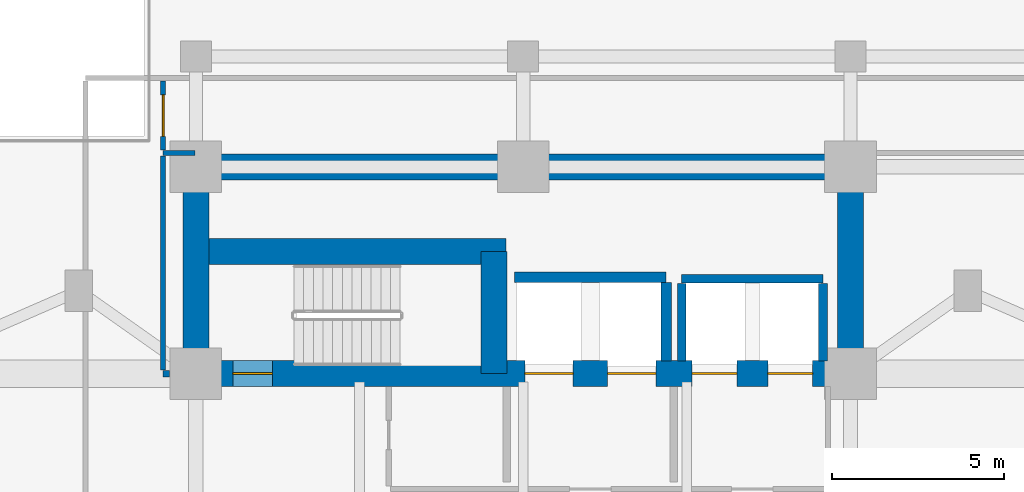
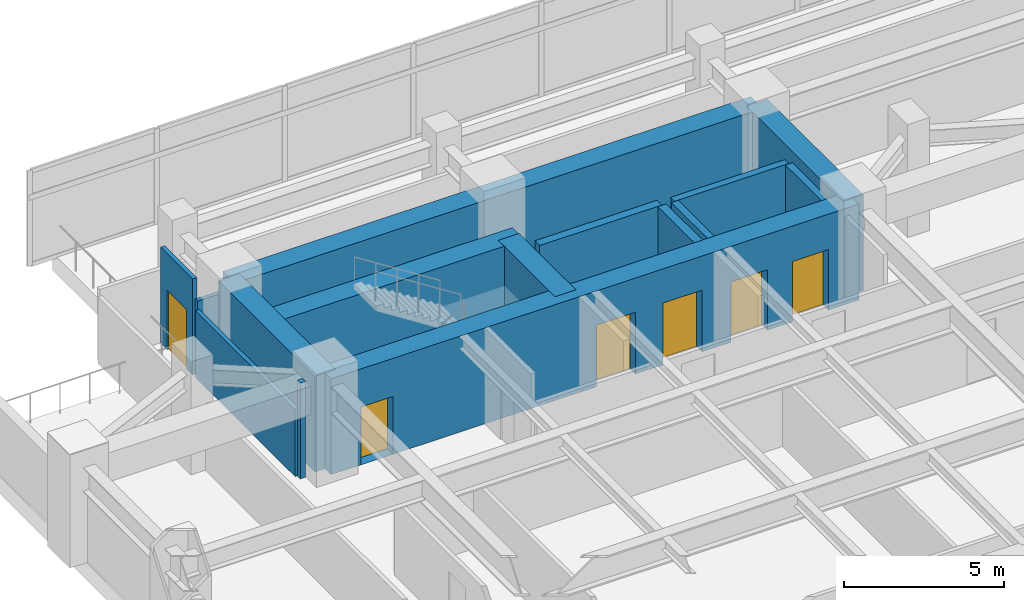
# One storey, part 17 of 27: 15 walls, 6 doors, 6 openings.
"""IFC4 building model written with IfcOpenShell, lengths in metres."""

from ifc_helpers import new_model, si_unit, direction, frame, frame_2d, origin, place, context, subcontext, project, spatial, rectangle, extrude, material, layer, layer_set, type_object, element, fill, save


model = new_model("IFC4")

# Units and contexts
model_context = context("Model", 3, precision=1e-05, world=origin(), true_north=direction((0.0, 1.0)))
body_context = subcontext(model_context, "Body", "Model", "MODEL_VIEW")
ifc_project = project(units=[si_unit("LENGTHUNIT", "METRE"), si_unit("AREAUNIT", "SQUARE_METRE"), si_unit("VOLUMEUNIT", "CUBIC_METRE"), si_unit("PLANEANGLEUNIT", "RADIAN"), si_unit("MASSUNIT", "GRAM", prefix="KILO")], contexts=[model_context])

# Site, building, storey
site_placement = place(None, origin())
site = spatial("IfcSite", under=ifc_project, at=site_placement, CompositionType="ELEMENT")
building_placement = place(site_placement, origin())
building = spatial("IfcBuilding", under=site, at=building_placement, Name="Mirazonda Arch Towers", CompositionType="ELEMENT")
storey_placement = place(building_placement, frame((0.0, 0.0, 18.10009765625)))
storey = spatial("IfcBuildingStorey", under=building, at=storey_placement, Name="L04", CompositionType="ELEMENT", Elevation=18.10009765625)

# Walls
ifc_material_1 = material(Name="Concrete C60/75", Category="concrete")
ifc_layer_1 = layer(ifc_material_1, 0.75, Name="WALL-CORE-750")
ifc_layer_set_1 = layer_set([ifc_layer_1], Name="Concrete C60/75")
wall_type_1 = type_object("IfcWallType", Name="WALL-CORE-750", PredefinedType="SHEAR", material=ifc_layer_set_1)
wall_1_placement = place(storey_placement, frame((11.0, 43.60009765625, 0.0), z_axis=(0.0, 0.0, 1.0), x_axis=(1.0, 0.0, 0.0)))
element("IfcWall", 1, at=wall_1_placement, inside=storey, type_object=wall_type_1, Name="L04 T1N-N Core Shear Wall", PredefinedType="SHEAR", context=body_context, shape_type="SweptSolid", body=[
    extrude(rectangle(XDim=19.0, YDim=0.75, at=frame_2d((9.5, 0.0))), origin(), (0.0, 0.0, 1.0), 3.64990234375),
])
for number, where, z_axis, x_axis, name in (
    (2, (11.0, 37.60009765625, 0.0), (0.0, 0.0, 1.0), (0.0, 1.0, 0.0), "L04 T1N-W Core Shear Wall"),
    (3, (30.0, 37.60009765625, 0.0), (0.0, 0.0, 1.0), (0.0, 1.0, 0.0), "L04 T1N-E Core Shear Wall"),
):
    element("IfcWall", number, at=place(storey_placement, frame(where, z_axis=z_axis, x_axis=x_axis)), inside=storey, type_object=wall_type_1, Name=name, PredefinedType="SHEAR", context=body_context, shape_type="SweptSolid", body=[
        extrude(rectangle(XDim=6.0, YDim=0.75, at=frame_2d((3.0, 0.0))), origin(), (0.0, 0.0, 1.0), 3.64990234375),
    ])

# Wall, openings, doors
wall_2_placement = place(storey_placement, frame((11.0, 37.60009765625, 0.0), z_axis=(0.0, 0.0, 1.0), x_axis=(1.0, 0.0, 0.0)))
wall_2 = element("IfcWall", 4, at=wall_2_placement, inside=storey, type_object=wall_type_1, Name="L04 T1N-S Core Shear Wall", PredefinedType="SHEAR", context=body_context, shape_type="SweptSolid", body=[
    extrude(rectangle(XDim=19.0, YDim=0.75, at=frame_2d((9.5, 0.0))), origin(), (0.0, 0.0, 1.0), 3.64990234375),
])
opening_1_placement = place(wall_2_placement, frame((1.070068359375, 0.0, 0.0)))
opening_1 = element("IfcOpeningElement", 5, at=opening_1_placement, cuts=wall_2, Name="Opening DR-135", PredefinedType="OPENING", context=body_context, shape_type="SweptSolid", body=[
    extrude(rectangle(XDim=1.14990234375, YDim=2.199951171875, at=frame_2d((0.574951171875, 1.10009765625))), frame((0.0, 0.385009765625, 0.0), z_axis=(0.0, -1.0, 0.0), x_axis=(1.0, 0.0, 0.0)), (0.0, 0.0, 1.0), 0.77001953125),
])
opening_2_placement = place(wall_2_placement, frame((9.550048828125, 0.0, 0.0)))
opening_2 = element("IfcOpeningElement", 6, at=opening_2_placement, cuts=wall_2, Name="Opening LD-112", PredefinedType="OPENING", context=body_context, shape_type="SweptSolid", body=[
    extrude(rectangle(XDim=1.39990234375, YDim=2.35009765625, at=frame_2d((0.699951171875, 1.175048828125))), frame((0.0, 0.385009765625, 0.0), z_axis=(0.0, -1.0, 0.0), x_axis=(1.0, 0.0, 0.0)), (0.0, 0.0, 1.0), 0.77001953125),
])
opening_3_placement = place(wall_2_placement, frame((11.949951171875, 0.0, 0.0)))
opening_3 = element("IfcOpeningElement", 7, at=opening_3_placement, cuts=wall_2, Name="Opening LD-112", PredefinedType="OPENING", context=body_context, shape_type="SweptSolid", body=[
    extrude(rectangle(XDim=1.39990234375, YDim=2.35009765625, at=frame_2d((0.699951171875, 1.175048828125))), frame((0.0, 0.385009765625, 0.0), z_axis=(0.0, -1.0, 0.0), x_axis=(1.0, 0.0, 0.0)), (0.0, 0.0, 1.0), 0.77001953125),
])
opening_4_placement = place(wall_2_placement, frame((14.39990234375, 0.0, 0.0)))
opening_4 = element("IfcOpeningElement", 8, at=opening_4_placement, cuts=wall_2, Name="Opening LD-111", PredefinedType="OPENING", context=body_context, shape_type="SweptSolid", body=[
    extrude(rectangle(XDim=1.300048828125, YDim=2.300048828125, at=frame_2d((0.64990234375, 1.14990234375))), frame((0.0, 0.385009765625, 0.0), z_axis=(0.0, -1.0, 0.0), x_axis=(1.0, 0.0, 0.0)), (0.0, 0.0, 1.0), 0.77001953125),
])
opening_5_placement = place(wall_2_placement, frame((16.60009765625, 0.0, 0.0)))
opening_5 = element("IfcOpeningElement", 9, at=opening_5_placement, cuts=wall_2, Name="Opening LD-111", PredefinedType="OPENING", context=body_context, shape_type="SweptSolid", body=[
    extrude(rectangle(XDim=1.300048828125, YDim=2.300048828125, at=frame_2d((0.64990234375, 1.14990234375))), frame((0.0, 0.385009765625, 0.0), z_axis=(0.0, -1.0, 0.0), x_axis=(1.0, 0.0, 0.0)), (0.0, 0.0, 1.0), 0.77001953125),
])
ifc_material_2 = material(Name="Architectural Brushed Steel S355", Category="steel")
door_type_1 = type_object("IfcDoorType", Name="DOOR-LIFT-FFL-1400", OperationType="NOTDEFINED", PredefinedType="DOOR", material=ifc_material_2)
door_1_placement = place(opening_2_placement, origin())
door_1 = element("IfcDoor", 10, at=door_1_placement, inside=storey, type_object=door_type_1, Name="L04 Lift Landing Sliding Door FFL-T1", OperationType="DOUBLE_DOOR_SLIDING", OverallHeight=2.35009765625, OverallWidth=1.39990234375, PredefinedType="DOOR", context=body_context, shape_type="SweptSolid", body=[
    extrude(rectangle(XDim=1.39990234375, YDim=2.35009765625, at=frame_2d((0.699951171875, 1.175048828125))), frame((0.0, 0.02490234375, 0.0), z_axis=(0.0, -1.0, 0.0), x_axis=(1.0, 0.0, 0.0)), (0.0, 0.0, 1.0), 0.050048828125),
])
fill(opening_2, door_1)
door_2_placement = place(opening_3_placement, origin())
door_2 = element("IfcDoor", 11, at=door_2_placement, inside=storey, type_object=door_type_1, Name="L04 Lift Landing Sliding Door SVL-T1", OperationType="DOUBLE_DOOR_SLIDING", OverallHeight=2.35009765625, OverallWidth=1.39990234375, PredefinedType="DOOR", context=body_context, shape_type="SweptSolid", body=[
    extrude(rectangle(XDim=1.39990234375, YDim=2.35009765625, at=frame_2d((0.699951171875, 1.175048828125))), frame((0.0, 0.02490234375, 0.0), z_axis=(0.0, -1.0, 0.0), x_axis=(1.0, 0.0, 0.0)), (0.0, 0.0, 1.0), 0.050048828125),
])
fill(opening_3, door_2)
door_type_2 = type_object("IfcDoorType", Name="DOOR-LIFT-LAND-1300", OperationType="NOTDEFINED", PredefinedType="DOOR", material=ifc_material_2)
door_3_placement = place(opening_4_placement, origin())
door_3 = element("IfcDoor", 12, at=door_3_placement, inside=storey, type_object=door_type_2, Name="L04 Lift Landing Sliding Door PL-T1L1", OperationType="DOUBLE_DOOR_SLIDING", OverallHeight=2.300048828125, OverallWidth=1.300048828125, PredefinedType="DOOR", context=body_context, shape_type="SweptSolid", body=[
    extrude(rectangle(XDim=1.300048828125, YDim=2.300048828125, at=frame_2d((0.64990234375, 1.14990234375))), frame((0.0, 0.02490234375, 0.0), z_axis=(0.0, -1.0, 0.0), x_axis=(1.0, 0.0, 0.0)), (0.0, 0.0, 1.0), 0.050048828125),
])
fill(opening_4, door_3)
door_4_placement = place(opening_5_placement, origin())
door_4 = element("IfcDoor", 13, at=door_4_placement, inside=storey, type_object=door_type_2, Name="L04 Lift Landing Sliding Door PL-T1L2", OperationType="DOUBLE_DOOR_SLIDING", OverallHeight=2.300048828125, OverallWidth=1.300048828125, PredefinedType="DOOR", context=body_context, shape_type="SweptSolid", body=[
    extrude(rectangle(XDim=1.300048828125, YDim=2.300048828125, at=frame_2d((0.64990234375, 1.14990234375))), frame((0.0, 0.02490234375, 0.0), z_axis=(0.0, -1.0, 0.0), x_axis=(1.0, 0.0, 0.0)), (0.0, 0.0, 1.0), 0.050048828125),
])
fill(opening_5, door_4)
door_type_3 = type_object("IfcDoorType", Name="DOOR-STAIR-FD90-1150", OperationType="NOTDEFINED", PredefinedType="DOOR", material=ifc_material_2)
door_5_placement = place(opening_1_placement, origin())
door_5 = element("IfcDoor", 14, at=door_5_placement, inside=storey, type_object=door_type_3, Name="L04 Protected Exit Stair North Door", OperationType="SINGLE_SWING_RIGHT", OverallHeight=2.199951171875, OverallWidth=1.14990234375, PredefinedType="DOOR", context=body_context, shape_type="SweptSolid", body=[
    extrude(rectangle(XDim=1.14990234375, YDim=2.199951171875, at=frame_2d((0.574951171875, 1.10009765625))), frame((0.0, 0.02490234375, 0.0), z_axis=(0.0, -1.0, 0.0), x_axis=(1.0, 0.0, 0.0)), (0.0, 0.0, 1.0), 0.050048828125),
])
fill(opening_1, door_5)

# Walls
wall_3_placement = place(storey_placement, frame((11.0, 41.14306640625, 0.0), z_axis=(0.0, 0.0, 1.0), x_axis=(1.0, 0.0, 0.0)))
element("IfcWall", 15, at=wall_3_placement, inside=storey, type_object=wall_type_1, Name="L04 T1N-STN Core Shear Wall", PredefinedType="SHEAR", context=body_context, shape_type="SweptSolid", body=[
    extrude(rectangle(XDim=9.0, YDim=0.75, at=frame_2d((4.5, 0.0))), origin(), (0.0, 0.0, 1.0), 3.64990234375),
])
wall_4_placement = place(storey_placement, frame((19.64990234375, 37.60009765625, 0.0), z_axis=(0.0, 0.0, 1.0), x_axis=(0.0, 1.0, 0.0)))
element("IfcWall", 16, at=wall_4_placement, inside=storey, type_object=wall_type_1, Name="L04 T1N-STE Core Shear Wall", PredefinedType="SHEAR", context=body_context, shape_type="SweptSolid", body=[
    extrude(rectangle(XDim=3.54296875, YDim=0.75, at=frame_2d((1.771484375, 0.0))), origin(), (0.0, 0.0, 1.0), 3.64990234375),
])
ifc_material_3 = material(Name="Fire-Rated Gypsum Stud Partition")
ifc_layer_2 = layer(ifc_material_3, 0.14990234375, Name="WALL-PART-CORR-150")
ifc_layer_set_2 = layer_set([ifc_layer_2], Name="Fire-Rated Gypsum Stud Partition")
wall_type_2 = type_object("IfcWallType", Name="WALL-PART-CORR-150", PredefinedType="PARTITIONING", material=ifc_layer_set_2)
wall_5_placement = place(storey_placement, frame((10.050048828125, 44.0, 0.0), z_axis=(0.0, 0.0, 1.0), x_axis=(1.0, 0.0, 0.0)))
element("IfcWall", 17, at=wall_5_placement, inside=storey, type_object=wall_type_2, Name="L04 Interior Partition 047", PredefinedType="PARTITIONING", context=body_context, shape_type="SweptSolid", body=[
    extrude(rectangle(XDim=0.929931640625, YDim=0.14990234375, at=frame_2d((0.46484375, 0.0))), origin(), (0.0, 0.0, 1.0), 2.868896484375),
])
wall_6_placement = place(storey_placement, frame((10.050048828125, 37.702392578125, 0.0), z_axis=(0.0, 0.0, 1.0), x_axis=(0.0, 1.0, 0.0)))
element("IfcWall", 18, at=wall_6_placement, inside=storey, type_object=wall_type_2, Name="L04 Interior Partition 056", PredefinedType="PARTITIONING", context=body_context, shape_type="SweptSolid", body=[
    extrude(rectangle(XDim=6.212646484375, YDim=0.14990234375, at=frame_2d((3.1064453125, 0.0))), origin(), (0.0, 0.0, 1.0), 2.5419921875),
])

# Wall, opening, door
wall_7_placement = place(storey_placement, frame((10.050048828125, 44.0849609375, 0.0), z_axis=(0.0, 0.0, 1.0), x_axis=(0.0, 1.0, 0.0)))
wall_7 = element("IfcWall", 19, at=wall_7_placement, inside=storey, type_object=wall_type_2, Name="L04 Interior Partition 057", PredefinedType="PARTITIONING", context=body_context, shape_type="SweptSolid", body=[
    extrude(rectangle(XDim=2.005126953125, YDim=0.14990234375, at=frame_2d((1.00244140625, 0.0))), origin(), (0.0, 0.0, 1.0), 3.64990234375),
])
opening_6_placement = place(wall_7_placement, frame((0.402587890625, 0.0, 0.0)))
opening_6 = element("IfcOpeningElement", 20, at=opening_6_placement, cuts=wall_7, Name="Opening DR-117", PredefinedType="OPENING", context=body_context, shape_type="SweptSolid", body=[
    extrude(rectangle(XDim=1.199951171875, YDim=2.25, at=frame_2d((0.60009765625, 1.125))), frame((0.0, 0.0849609375, 0.0), z_axis=(0.0, -1.0, 0.0), x_axis=(1.0, 0.0, 0.0)), (0.0, 0.0, 1.0), 0.169921875),
])
door_type_4 = type_object("IfcDoorType", Name="DOOR-FFL-FD90-1200", OperationType="NOTDEFINED", PredefinedType="DOOR", material=ifc_material_2)
door_6_placement = place(opening_6_placement, origin())
door_6 = element("IfcDoor", 21, at=door_6_placement, inside=storey, type_object=door_type_4, Name="L04 L04 Arch-Span North Salon Door", OperationType="SINGLE_SWING_RIGHT", OverallHeight=2.25, OverallWidth=1.199951171875, PredefinedType="DOOR", context=body_context, shape_type="SweptSolid", body=[
    extrude(rectangle(XDim=1.199951171875, YDim=2.25, at=frame_2d((0.60009765625, 1.125))), frame((0.0, 0.02490234375, 0.0), z_axis=(0.0, -1.0, 0.0), x_axis=(1.0, 0.0, 0.0)), (0.0, 0.0, 1.0), 0.050048828125),
])
fill(opening_6, door_6)

# Walls
ifc_material_4 = material(Name="Concrete C40/50", Category="concrete")
ifc_layer_3 = layer(ifc_material_4, 0.25, Name="WALL-SHAFT-250")
ifc_layer_set_3 = layer_set([ifc_layer_3], Name="Concrete C40/50")
wall_type_3 = type_object("IfcWallType", Name="WALL-SHAFT-250", PredefinedType="SOLIDWALL", material=ifc_layer_set_3)
wall_8_placement = place(storey_placement, frame((25.10009765625, 40.35009765625, 0.0), z_axis=(0.0, 0.0, 1.0), x_axis=(1.0, 0.0, 0.0)))
element("IfcWall", 22, at=wall_8_placement, inside=storey, type_object=wall_type_3, Name="L04 Interior Partition 045", PredefinedType="SOLIDWALL", context=body_context, shape_type="SweptSolid", body=[
    extrude(rectangle(XDim=4.099853515625, YDim=0.25, at=frame_2d((2.0498046875, 0.0))), origin(), (0.0, 0.0, 1.0), 3.64990234375),
])
for number, where, z_axis, x_axis, name in (
    (23, (25.10009765625, 37.969970703125, 0.0), (0.0, 0.0, 1.0), (0.0, 1.0, 0.0), "L04 Interior Partition 071"),
    (24, (29.199951171875, 37.969970703125, 0.0), (0.0, 0.0, 1.0), (0.0, 1.0, 0.0), "L04 Interior Partition 075"),
):
    element("IfcWall", number, at=place(storey_placement, frame(where, z_axis=z_axis, x_axis=x_axis)), inside=storey, type_object=wall_type_3, Name=name, PredefinedType="SOLIDWALL", context=body_context, shape_type="SweptSolid", body=[
        extrude(rectangle(XDim=2.2451171875, YDim=0.25, at=frame_2d((1.12255859375, 0.0))), origin(), (0.0, 0.0, 1.0), 3.64990234375),
    ])
ifc_material_5 = material(Name="Concrete C50/60", Category="concrete")
ifc_layer_4 = layer(ifc_material_5, 0.300048828125, Name="WALL-SHAFT-300")
ifc_layer_set_4 = layer_set([ifc_layer_4], Name="Concrete C50/60")
wall_type_4 = type_object("IfcWallType", Name="WALL-SHAFT-300", PredefinedType="SOLIDWALL", material=ifc_layer_set_4)
wall_9_placement = place(storey_placement, frame((20.25, 40.39990234375, 0.0), z_axis=(0.0, 0.0, 1.0), x_axis=(1.0, 0.0, 0.0)))
element("IfcWall", 25, at=wall_9_placement, inside=storey, type_object=wall_type_4, Name="L04 Interior Partition 046", PredefinedType="SOLIDWALL", context=body_context, shape_type="SweptSolid", body=[
    extrude(rectangle(XDim=4.39990234375, YDim=0.300048828125, at=frame_2d((2.199951171875, 0.0))), origin(), (0.0, 0.0, 1.0), 3.64990234375),
])
wall_10_placement = place(storey_placement, frame((24.64990234375, 37.969970703125, 0.0), z_axis=(0.0, 0.0, 1.0), x_axis=(0.0, 1.0, 0.0)))
element("IfcWall", 26, at=wall_10_placement, inside=storey, type_object=wall_type_4, Name="L04 Interior Partition 068", PredefinedType="SOLIDWALL", context=body_context, shape_type="SweptSolid", body=[
    extrude(rectangle(XDim=2.27001953125, YDim=0.300048828125, at=frame_2d((1.135009765625, 0.0))), origin(), (0.0, 0.0, 1.0), 3.64990234375),
])
ifc_layer_5 = layer(ifc_material_5, 0.18505859375, Name="WALL-STAIR-CORE-185")
ifc_layer_set_5 = layer_set([ifc_layer_5], Name="Concrete C50/60")
wall_type_5 = type_object("IfcWallType", Name="WALL-STAIR-CORE-185", PredefinedType="SHEAR", material=ifc_layer_set_5)
wall_11_placement = place(storey_placement, frame((10.050048828125, 37.60009765625, 0.0), z_axis=(0.0, 0.0, 1.0), x_axis=(1.0, 0.0, 0.0)))
element("IfcWall", 27, at=wall_11_placement, inside=storey, type_object=wall_type_5, Name="L04 Stair Core Shear Wall 041", PredefinedType="SHEAR", context=body_context, shape_type="SweptSolid", body=[
    extrude(rectangle(XDim=0.18505859375, YDim=0.18505859375, at=frame_2d((0.092529296875, 0.0))), origin(), (0.0, 0.0, 1.0), 3.64990234375),
])

save(model, "model.ifc")
